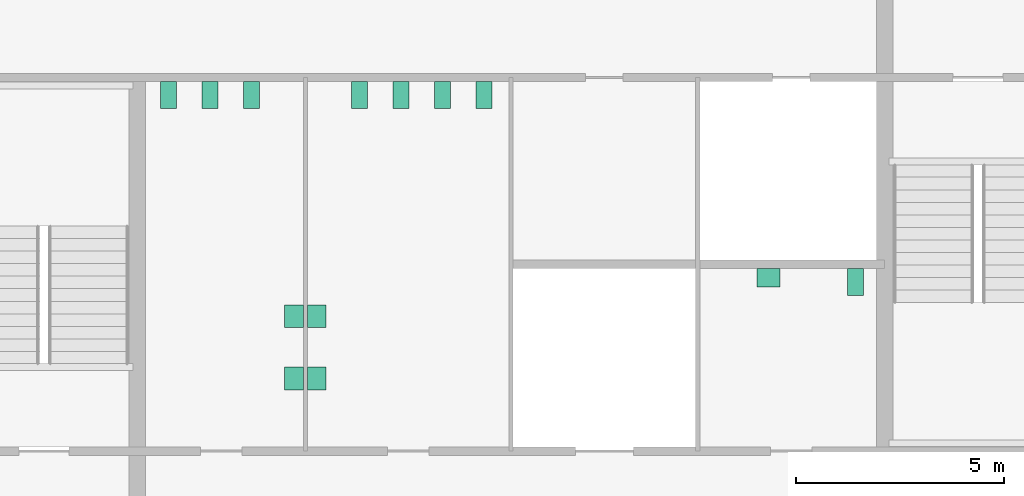
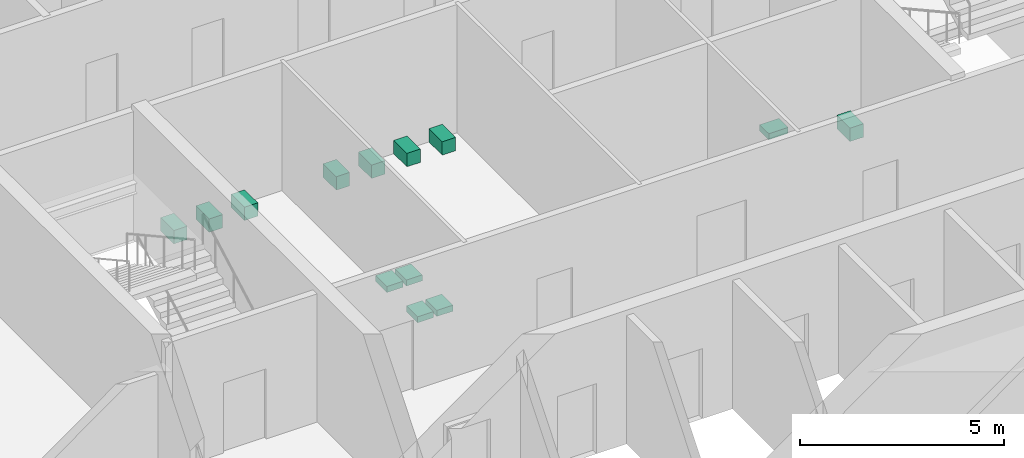
# One storey, part 13 of 13: 13 sanitary terminals.
"""IFC4 building model written with IfcOpenShell, lengths in metres."""

import ifcopenshell
import ifcopenshell.guid

model = None  # the IFC model being written
_history = None  # IfcOwnerHistory: only IFC2X3 demands one
_inside = {}  # id of a spatial element -> (the spatial element, [elements in it])
_under = {}  # id of a project, library or spatial element -> (it, [spatial elements below it])
_declared = {}  # id of a project -> (the project, [libraries it declares])
_typed = {}  # id of a type object -> (the type object, [elements of that type])
_made_of = {}  # id of a material, layer set ... -> (it, [elements and type objects made of it])


def new_model(schema):
    """Start an empty IFC model of exactly this schema.

    Asked for "IFC4X3", IfcOpenShell would pick the latest addendum, in which some entities
    have other attributes; the version numbers below select the first issue.
    IFC2X3 requires an IfcOwnerHistory on every rooted entity: one is made here for all.
    """
    global model, _history
    if schema == "IFC4X3":
        model = ifcopenshell.file(schema_version=(4, 3, 0, 0))
    else:
        model = ifcopenshell.file(schema=schema)
    _inside.clear()
    _under.clear()
    _declared.clear()
    _typed.clear()
    _made_of.clear()
    _history = None
    if model.schema == "IFC2X3":
        org = make("IfcOrganization", Name="unknown")
        user = make(
            "IfcPersonAndOrganization",
            ThePerson=make("IfcPerson", FamilyName="unknown"),
            TheOrganization=org,
        )
        app = make(
            "IfcApplication",
            ApplicationDeveloper=org,
            Version="unknown",
            ApplicationFullName="unknown",
            ApplicationIdentifier="unknown",
        )
        _history = make(
            "IfcOwnerHistory",
            OwningUser=user,
            OwningApplication=app,
            ChangeAction="ADDED",
            CreationDate=0,
        )
    return model


def make(cls, **values):
    """One entity of the class cls with the attributes given. An attribute that is None is left unset."""
    return model.create_entity(
        cls, **{name: value for name, value in values.items() if value is not None}
    )


def rooted(cls, **values):
    """An entity with a GlobalId (a new one), such as an element, a storey or a relation."""
    return make(cls, GlobalId=ifcopenshell.guid.new(), OwnerHistory=_history, **values)


def si_unit(unit_type, name, prefix=None):
    """IfcSIUnit, for example si_unit("LENGTHUNIT", "METRE", prefix="MILLI")."""
    return make("IfcSIUnit", UnitType=unit_type, Prefix=prefix, Name=name)


def assignment(units):
    """IfcUnitAssignment: the units of a project."""
    return None if units is None else make("IfcUnitAssignment", Units=units)


def point(xyz):
    """IfcCartesianPoint."""
    return None if xyz is None else make("IfcCartesianPoint", Coordinates=xyz)


def direction(xyz):
    """IfcDirection."""
    return None if xyz is None else make("IfcDirection", DirectionRatios=xyz)


def frame(location, z_axis=None, x_axis=None):
    """IfcAxis2Placement3D, a coordinate frame: its origin and axes. An axis left out is left unset."""
    return make(
        "IfcAxis2Placement3D",
        Location=point(location),
        Axis=direction(z_axis),
        RefDirection=direction(x_axis),
    )


def frame_2d(location, x_axis=None):
    """IfcAxis2Placement2D, a coordinate frame in the plane: its origin and x axis."""
    return make(
        "IfcAxis2Placement2D", Location=point(location), RefDirection=direction(x_axis)
    )


def origin():
    """The frame at (0, 0, 0) with its axes left unset."""
    return frame((0.0, 0.0, 0.0))


def origin_2d():
    """The frame at (0, 0) in the plane with its x axis left unset."""
    return frame_2d((0.0, 0.0))


def place(relative_to, where):
    """IfcLocalPlacement: puts the frame where relative to a parent placement (None: the world)."""
    return make(
        "IfcLocalPlacement", PlacementRelTo=relative_to, RelativePlacement=where
    )


def context(
    kind, dimensions, precision=None, world=None, true_north=None, identifier=None
):
    """IfcGeometricRepresentationContext, for example the 3D "Model" context."""
    return make(
        "IfcGeometricRepresentationContext",
        ContextIdentifier=identifier,
        ContextType=kind,
        CoordinateSpaceDimension=dimensions,
        Precision=precision,
        WorldCoordinateSystem=world,
        TrueNorth=true_north,
    )


def subcontext(parent, identifier, kind, view, scale=None):
    """IfcGeometricRepresentationSubContext, for example "Body" below "Model"."""
    return make(
        "IfcGeometricRepresentationSubContext",
        ContextIdentifier=identifier,
        ContextType=kind,
        ParentContext=parent,
        TargetScale=scale,
        TargetView=view,
    )


def project(units=None, contexts=None):
    """IfcProject with its units and contexts."""
    return rooted(
        "IfcProject",
        Name="project",
        RepresentationContexts=contexts,
        UnitsInContext=assignment(units),
    )


def spatial(cls, under=None, at=None, **own):
    """A site, building, storey or space (cls), placed at a placement, below another one or the project."""
    s = rooted(cls, ObjectPlacement=at, **own)
    if under is not None:
        _under.setdefault(under.id(), (under, []))[1].append(s)
    return s


def profile(cls, at=None, kind="AREA", **sizes):
    """A parametric profile (cls). Its sizes go by their IFC names, for example OverallWidth=200.0."""
    return make(cls, ProfileType=kind, Position=at, **sizes)


def rectangle(**sizes):
    """IfcRectangleProfileDef."""
    return profile("IfcRectangleProfileDef", **sizes)


def extrude(swept, where, along, depth):
    """IfcExtrudedAreaSolid: the profile swept, set in the frame where, extruded along a direction by depth."""
    return make(
        "IfcExtrudedAreaSolid",
        SweptArea=swept,
        Position=where,
        ExtrudedDirection=direction(along),
        Depth=depth,
    )


def shape(context_of_items, identifier, shape_type, items):
    """IfcShapeRepresentation: the items that make up one representation, for example the "Body"."""
    return make(
        "IfcShapeRepresentation",
        ContextOfItems=context_of_items,
        RepresentationIdentifier=identifier,
        RepresentationType=shape_type,
        Items=items,
    )


def material(Name=None, Category=None):
    """IfcMaterial."""
    return make("IfcMaterial", Name=Name, Category=Category)


def made_of(thing, what):
    """Note that an element or type object is made of a material, layer set ...; save() writes the relation."""
    if what is not None:
        _made_of.setdefault(what.id(), (what, []))[1].append(thing)
    return thing


def type_object(cls, material=None, **own):
    """A type object (cls), such as IfcWallType, which elements share."""
    return made_of(rooted(cls, **own), material)


def element(
    cls,
    number,
    at=None,
    inside=None,
    cuts=None,
    type_object=None,
    material=None,
    context=None,
    identifier="Body",
    shape_type=None,
    held_by="IfcProductDefinitionShape",
    body=None,
    shapes=None,
    **own,
):
    """One element of the class cls, such as IfcWall. Its Tag is "e" and its number.

    at: its placement. inside: the storey or other place that contains it. cuts: it is an
    opening in that element (IfcRelVoidsElement). A single representation is given by context,
    identifier, shape_type and body (its items); several are given by shapes. held_by: the class
    of the entity that holds the representations. save() writes the other relations.
    """
    e = rooted(cls, Tag="e%d" % number, ObjectPlacement=at, **own)
    if body is not None:
        shapes = [shape(context, identifier, shape_type, body)]
    if shapes is not None:
        e.Representation = make(held_by, Representations=shapes)
    if inside is not None:
        _inside.setdefault(inside.id(), (inside, []))[1].append(e)
    if cuts is not None:
        rooted(
            "IfcRelVoidsElement", RelatingBuildingElement=cuts, RelatedOpeningElement=e
        )
    if type_object is not None:
        _typed.setdefault(type_object.id(), (type_object, []))[1].append(e)
    return made_of(e, material)


def aggregate(whole, parts):
    """IfcRelAggregates: a whole, such as a stair, and the parts it consists of."""
    return rooted("IfcRelAggregates", RelatingObject=whole, RelatedObjects=parts)


def save(model, path):
    """Write the relations noted so far, then the file.

    IfcRelAggregates (storeys below a building ...), IfcRelContainedInSpatialStructure (elements
    in a storey), IfcRelDefinesByType, IfcRelAssociatesMaterial and IfcRelDeclares: one each for
    every whole, place, type object, material and project.
    """
    for whole, parts in _under.values():
        aggregate(whole, parts)
    for where, things in _inside.values():
        rooted(
            "IfcRelContainedInSpatialStructure",
            RelatedElements=things,
            RelatingStructure=where,
        )
    for kind, things in _typed.values():
        rooted("IfcRelDefinesByType", RelatedObjects=things, RelatingType=kind)
    for what, things in _made_of.values():
        rooted("IfcRelAssociatesMaterial", RelatedObjects=things, RelatingMaterial=what)
    for by, libraries in _declared.values():
        rooted("IfcRelDeclares", RelatingContext=by, RelatedDefinitions=libraries)
    model.write(path)


model = new_model("IFC4")

# Units and contexts
model_context = context("Model", 3, precision=1e-05, world=origin(), true_north=direction((0.0, 1.0)))
body_context = subcontext(model_context, "Body", "Model", "MODEL_VIEW")
ifc_project = project(units=[si_unit("LENGTHUNIT", "METRE"), si_unit("AREAUNIT", "SQUARE_METRE"), si_unit("VOLUMEUNIT", "CUBIC_METRE"), si_unit("PLANEANGLEUNIT", "RADIAN"), si_unit("MASSUNIT", "GRAM", prefix="KILO")], contexts=[model_context])

# Site, building, storey
site_placement = place(None, origin())
site = spatial("IfcSite", under=ifc_project, at=site_placement, CompositionType="ELEMENT")
building_placement = place(site_placement, origin())
building = spatial("IfcBuilding", under=site, at=building_placement, Name="Corais Broadcast Tower", CompositionType="ELEMENT")
storey_placement = place(building_placement, frame((0.0, 0.0, 306.60009765625)))
storey = spatial("IfcBuildingStorey", under=building, at=storey_placement, Name="L72", CompositionType="ELEMENT", Elevation=306.60009765625)

# Sanitary terminals
ifc_material_1 = material(Name="Vitreous china", Category="ceramic")
sanitary_terminal_type_1 = type_object("IfcSanitaryTerminalType", Name="WC pan 380x650", PredefinedType="TOILETPAN", material=ifc_material_1)
for number, where, z_axis, x_axis, name in (
    (1, (18.75, 31.074951171875, 0.0), (0.0, 0.0, 1.0), (1.0, 0.0, 0.0), "SW1 WC pan, male toilets L72"),
    (2, (19.75, 31.074951171875, 0.0), (0.0, 0.0, 1.0), (1.0, 0.0, 0.0), "SW1 WC pan, male toilets L72"),
    (3, (20.75, 31.074951171875, 0.0), (0.0, 0.0, 1.0), (1.0, 0.0, 0.0), "SW1 WC pan, male toilets L72"),
    (4, (23.35009765625, 31.074951171875, 0.0), (0.0, 0.0, 1.0), (1.0, 0.0, 0.0), "SW1 WC pan, female toilets L72"),
    (5, (24.35009765625, 31.074951171875, 0.0), (0.0, 0.0, 1.0), (1.0, 0.0, 0.0), "SW1 WC pan, female toilets L72"),
    (6, (25.35009765625, 31.074951171875, 0.0), (0.0, 0.0, 1.0), (1.0, 0.0, 0.0), "SW1 WC pan, female toilets L72"),
    (7, (26.35009765625, 31.074951171875, 0.0), (0.0, 0.0, 1.0), (1.0, 0.0, 0.0), "SW1 WC pan, female toilets L72"),
    (8, (35.300048828125, 26.574951171875, 0.0), (0.0, 0.0, 1.0), (1.0, 0.0, 0.0), "SW1 WC pan, accessible WC L72"),
):
    element("IfcSanitaryTerminal", number, at=place(storey_placement, frame(where, z_axis=z_axis, x_axis=x_axis)), inside=storey, type_object=sanitary_terminal_type_1, Name=name, PredefinedType="TOILETPAN", context=body_context, shape_type="SweptSolid", body=[
        extrude(rectangle(XDim=0.3798828125, YDim=0.64990234375, at=origin_2d()), origin(), (0.0, 0.0, 1.0), 0.39990234375),
    ])
ifc_material_2 = material(Name="Vitreous china", Category="ceramic")
sanitary_terminal_type_2 = type_object("IfcSanitaryTerminalType", Name="Wash basin 550x450", PredefinedType="WASHHANDBASIN", material=ifc_material_2)
for number, where, z_axis, x_axis, name in (
    (9, (21.77490234375, 24.25, 0.69970703125), (0.0, 0.0, 1.0), (1.0, 0.0, 0.0), "WB1 wash basin, male toilets L72"),
    (10, (21.77490234375, 25.75, 0.69970703125), (0.0, 0.0, 1.0), (1.0, 0.0, 0.0), "WB1 wash basin, male toilets L72"),
    (11, (22.324951171875, 24.25, 0.69970703125), (0.0, 0.0, 1.0), (1.0, 0.0, 0.0), "WB1 wash basin, female toilets L72"),
    (12, (22.324951171875, 25.75, 0.69970703125), (0.0, 0.0, 1.0), (1.0, 0.0, 0.0), "WB1 wash basin, female toilets L72"),
):
    element("IfcSanitaryTerminal", number, at=place(storey_placement, frame(where, z_axis=z_axis, x_axis=x_axis)), inside=storey, type_object=sanitary_terminal_type_2, Name=name, PredefinedType="WASHHANDBASIN", context=body_context, shape_type="SweptSolid", body=[
        extrude(rectangle(XDim=0.449951171875, YDim=0.550048828125, at=origin_2d()), origin(), (0.0, 0.0, 1.0), 0.179931640625),
    ])
sanitary_terminal_placement = place(storey_placement, frame((33.199951171875, 26.675048828125, 0.69970703125), z_axis=(0.0, 0.0, 1.0), x_axis=(1.0, 0.0, 0.0)))
element("IfcSanitaryTerminal", 13, at=sanitary_terminal_placement, inside=storey, type_object=sanitary_terminal_type_2, Name="WB1 wash basin, accessible WC L72", PredefinedType="WASHHANDBASIN", context=body_context, shape_type="SweptSolid", body=[
    extrude(rectangle(XDim=0.550048828125, YDim=0.449951171875, at=origin_2d()), origin(), (0.0, 0.0, 1.0), 0.179931640625),
])

save(model, "model.ifc")
